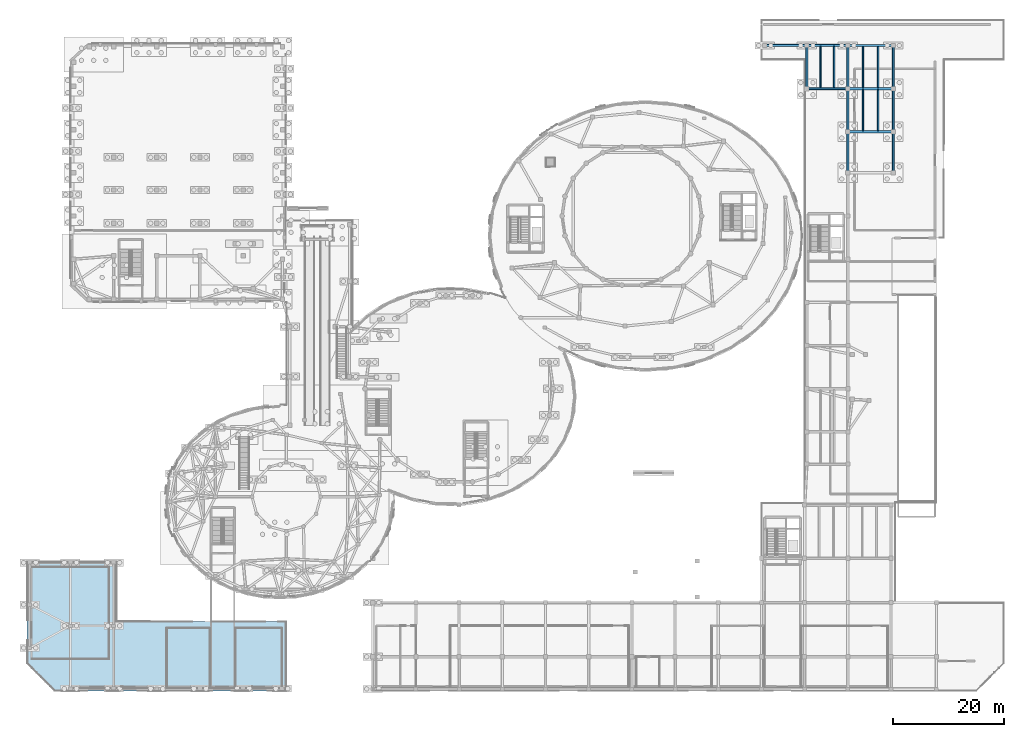
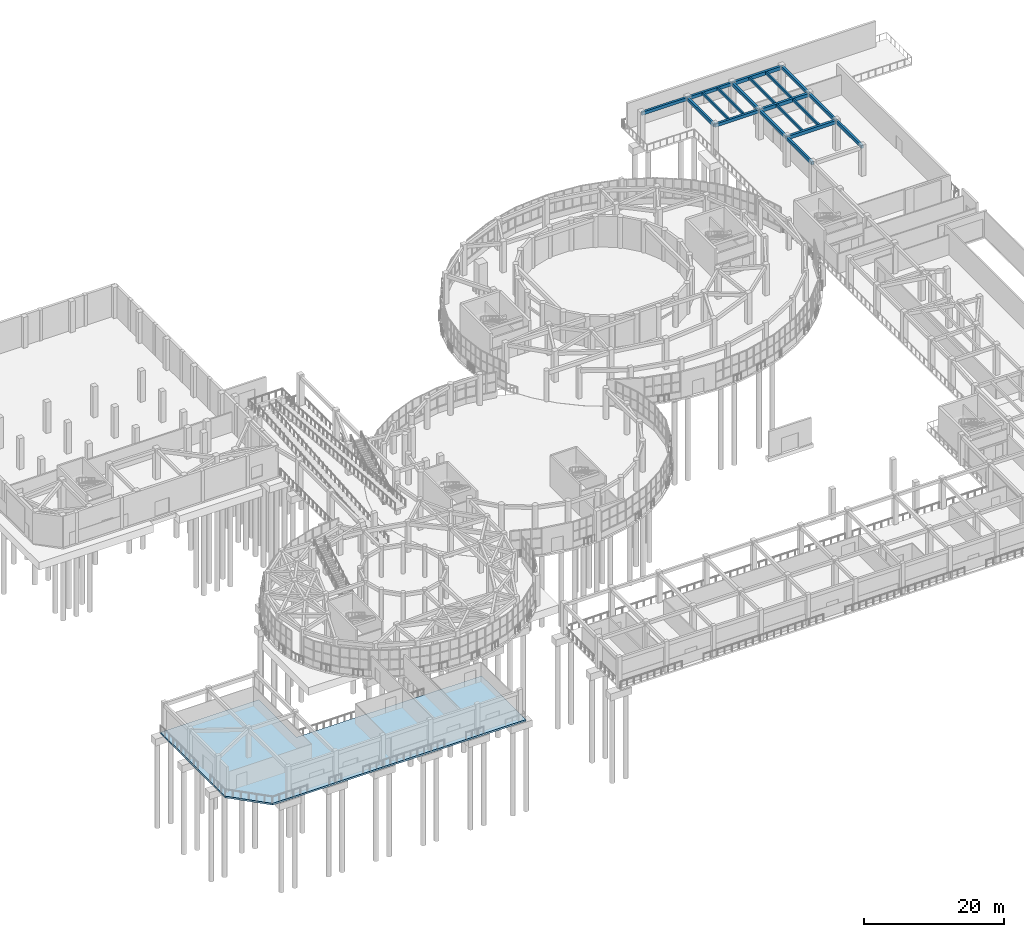
# One storey, part 58 of 96: 19 beams, 1 slab.
"""IFC4 building model written with IfcOpenShell, lengths in metres."""

import ifcopenshell
import ifcopenshell.guid

model = None  # the IFC model being written
_history = None  # IfcOwnerHistory: only IFC2X3 demands one
_inside = {}  # id of a spatial element -> (the spatial element, [elements in it])
_under = {}  # id of a project, library or spatial element -> (it, [spatial elements below it])
_declared = {}  # id of a project -> (the project, [libraries it declares])
_typed = {}  # id of a type object -> (the type object, [elements of that type])
_made_of = {}  # id of a material, layer set ... -> (it, [elements and type objects made of it])


def new_model(schema):
    """Start an empty IFC model of exactly this schema.

    Asked for "IFC4X3", IfcOpenShell would pick the latest addendum, in which some entities
    have other attributes; the version numbers below select the first issue.
    IFC2X3 requires an IfcOwnerHistory on every rooted entity: one is made here for all.
    """
    global model, _history
    if schema == "IFC4X3":
        model = ifcopenshell.file(schema_version=(4, 3, 0, 0))
    else:
        model = ifcopenshell.file(schema=schema)
    _inside.clear()
    _under.clear()
    _declared.clear()
    _typed.clear()
    _made_of.clear()
    _history = None
    if model.schema == "IFC2X3":
        org = make("IfcOrganization", Name="unknown")
        user = make(
            "IfcPersonAndOrganization",
            ThePerson=make("IfcPerson", FamilyName="unknown"),
            TheOrganization=org,
        )
        app = make(
            "IfcApplication",
            ApplicationDeveloper=org,
            Version="unknown",
            ApplicationFullName="unknown",
            ApplicationIdentifier="unknown",
        )
        _history = make(
            "IfcOwnerHistory",
            OwningUser=user,
            OwningApplication=app,
            ChangeAction="ADDED",
            CreationDate=0,
        )
    return model


def make(cls, **values):
    """One entity of the class cls with the attributes given. An attribute that is None is left unset."""
    return model.create_entity(
        cls, **{name: value for name, value in values.items() if value is not None}
    )


def rooted(cls, **values):
    """An entity with a GlobalId (a new one), such as an element, a storey or a relation."""
    return make(cls, GlobalId=ifcopenshell.guid.new(), OwnerHistory=_history, **values)


def si_unit(unit_type, name, prefix=None):
    """IfcSIUnit, for example si_unit("LENGTHUNIT", "METRE", prefix="MILLI")."""
    return make("IfcSIUnit", UnitType=unit_type, Prefix=prefix, Name=name)


def assignment(units):
    """IfcUnitAssignment: the units of a project."""
    return None if units is None else make("IfcUnitAssignment", Units=units)


def point(xyz):
    """IfcCartesianPoint."""
    return None if xyz is None else make("IfcCartesianPoint", Coordinates=xyz)


def direction(xyz):
    """IfcDirection."""
    return None if xyz is None else make("IfcDirection", DirectionRatios=xyz)


def frame(location, z_axis=None, x_axis=None):
    """IfcAxis2Placement3D, a coordinate frame: its origin and axes. An axis left out is left unset."""
    return make(
        "IfcAxis2Placement3D",
        Location=point(location),
        Axis=direction(z_axis),
        RefDirection=direction(x_axis),
    )


def frame_2d(location, x_axis=None):
    """IfcAxis2Placement2D, a coordinate frame in the plane: its origin and x axis."""
    return make(
        "IfcAxis2Placement2D", Location=point(location), RefDirection=direction(x_axis)
    )


def origin():
    """The frame at (0, 0, 0) with its axes left unset."""
    return frame((0.0, 0.0, 0.0))


def origin_2d():
    """The frame at (0, 0) in the plane with its x axis left unset."""
    return frame_2d((0.0, 0.0))


def place(relative_to, where):
    """IfcLocalPlacement: puts the frame where relative to a parent placement (None: the world)."""
    return make(
        "IfcLocalPlacement", PlacementRelTo=relative_to, RelativePlacement=where
    )


def context(
    kind, dimensions, precision=None, world=None, true_north=None, identifier=None
):
    """IfcGeometricRepresentationContext, for example the 3D "Model" context."""
    return make(
        "IfcGeometricRepresentationContext",
        ContextIdentifier=identifier,
        ContextType=kind,
        CoordinateSpaceDimension=dimensions,
        Precision=precision,
        WorldCoordinateSystem=world,
        TrueNorth=true_north,
    )


def subcontext(parent, identifier, kind, view, scale=None):
    """IfcGeometricRepresentationSubContext, for example "Body" below "Model"."""
    return make(
        "IfcGeometricRepresentationSubContext",
        ContextIdentifier=identifier,
        ContextType=kind,
        ParentContext=parent,
        TargetScale=scale,
        TargetView=view,
    )


def project(units=None, contexts=None):
    """IfcProject with its units and contexts."""
    return rooted(
        "IfcProject",
        Name="project",
        RepresentationContexts=contexts,
        UnitsInContext=assignment(units),
    )


def spatial(cls, under=None, at=None, **own):
    """A site, building, storey or space (cls), placed at a placement, below another one or the project."""
    s = rooted(cls, ObjectPlacement=at, **own)
    if under is not None:
        _under.setdefault(under.id(), (under, []))[1].append(s)
    return s


def polyline(points):
    """IfcPolyline through the points."""
    return make("IfcPolyline", Points=[point(p) for p in points])


def profile(cls, at=None, kind="AREA", **sizes):
    """A parametric profile (cls). Its sizes go by their IFC names, for example OverallWidth=200.0."""
    return make(cls, ProfileType=kind, Position=at, **sizes)


def rectangle(**sizes):
    """IfcRectangleProfileDef."""
    return profile("IfcRectangleProfileDef", **sizes)


def outline(outer, holes=None, kind="AREA"):
    """IfcArbitraryClosedProfileDef: a profile drawn as a closed curve; with holes, ...WithVoids."""
    if holes is None:
        return make("IfcArbitraryClosedProfileDef", ProfileType=kind, OuterCurve=outer)
    return make(
        "IfcArbitraryProfileDefWithVoids",
        ProfileType=kind,
        OuterCurve=outer,
        InnerCurves=holes,
    )


def extrude(swept, where, along, depth):
    """IfcExtrudedAreaSolid: the profile swept, set in the frame where, extruded along a direction by depth."""
    return make(
        "IfcExtrudedAreaSolid",
        SweptArea=swept,
        Position=where,
        ExtrudedDirection=direction(along),
        Depth=depth,
    )


def shape(context_of_items, identifier, shape_type, items):
    """IfcShapeRepresentation: the items that make up one representation, for example the "Body"."""
    return make(
        "IfcShapeRepresentation",
        ContextOfItems=context_of_items,
        RepresentationIdentifier=identifier,
        RepresentationType=shape_type,
        Items=items,
    )


def material(Name=None, Category=None):
    """IfcMaterial."""
    return make("IfcMaterial", Name=Name, Category=Category)


def layer(
    of_material, thickness, ventilated=None, Name=None, Category=None, Priority=None
):
    """IfcMaterialLayer: one layer of a wall or slab, of a material (None: an air gap)."""
    return make(
        "IfcMaterialLayer",
        Material=of_material,
        LayerThickness=thickness,
        IsVentilated=ventilated,
        Name=Name,
        Category=Category,
        Priority=Priority,
    )


def layer_set(layers, Name=None):
    """IfcMaterialLayerSet."""
    return make("IfcMaterialLayerSet", MaterialLayers=layers, LayerSetName=Name)


def material_profile(
    of_material, cross_section, Name=None, Category=None, Priority=None
):
    """IfcMaterialProfile: a cross section and its material."""
    return make(
        "IfcMaterialProfile",
        Name=Name,
        Material=of_material,
        Profile=cross_section,
        Priority=Priority,
        Category=Category,
    )


def profile_set(profiles, Name=None, composite=None):
    """IfcMaterialProfileSet."""
    return make(
        "IfcMaterialProfileSet",
        Name=Name,
        MaterialProfiles=profiles,
        CompositeProfile=composite,
    )


def made_of(thing, what):
    """Note that an element or type object is made of a material, layer set ...; save() writes the relation."""
    if what is not None:
        _made_of.setdefault(what.id(), (what, []))[1].append(thing)
    return thing


def type_object(cls, material=None, **own):
    """A type object (cls), such as IfcWallType, which elements share."""
    return made_of(rooted(cls, **own), material)


def element(
    cls,
    number,
    at=None,
    inside=None,
    cuts=None,
    type_object=None,
    material=None,
    context=None,
    identifier="Body",
    shape_type=None,
    held_by="IfcProductDefinitionShape",
    body=None,
    shapes=None,
    **own,
):
    """One element of the class cls, such as IfcWall. Its Tag is "e" and its number.

    at: its placement. inside: the storey or other place that contains it. cuts: it is an
    opening in that element (IfcRelVoidsElement). A single representation is given by context,
    identifier, shape_type and body (its items); several are given by shapes. held_by: the class
    of the entity that holds the representations. save() writes the other relations.
    """
    e = rooted(cls, Tag="e%d" % number, ObjectPlacement=at, **own)
    if body is not None:
        shapes = [shape(context, identifier, shape_type, body)]
    if shapes is not None:
        e.Representation = make(held_by, Representations=shapes)
    if inside is not None:
        _inside.setdefault(inside.id(), (inside, []))[1].append(e)
    if cuts is not None:
        rooted(
            "IfcRelVoidsElement", RelatingBuildingElement=cuts, RelatedOpeningElement=e
        )
    if type_object is not None:
        _typed.setdefault(type_object.id(), (type_object, []))[1].append(e)
    return made_of(e, material)


def aggregate(whole, parts):
    """IfcRelAggregates: a whole, such as a stair, and the parts it consists of."""
    return rooted("IfcRelAggregates", RelatingObject=whole, RelatedObjects=parts)


def save(model, path):
    """Write the relations noted so far, then the file.

    IfcRelAggregates (storeys below a building ...), IfcRelContainedInSpatialStructure (elements
    in a storey), IfcRelDefinesByType, IfcRelAssociatesMaterial and IfcRelDeclares: one each for
    every whole, place, type object, material and project.
    """
    for whole, parts in _under.values():
        aggregate(whole, parts)
    for where, things in _inside.values():
        rooted(
            "IfcRelContainedInSpatialStructure",
            RelatedElements=things,
            RelatingStructure=where,
        )
    for kind, things in _typed.values():
        rooted("IfcRelDefinesByType", RelatedObjects=things, RelatingType=kind)
    for what, things in _made_of.values():
        rooted("IfcRelAssociatesMaterial", RelatedObjects=things, RelatingMaterial=what)
    for by, libraries in _declared.values():
        rooted("IfcRelDeclares", RelatingContext=by, RelatedDefinitions=libraries)
    model.write(path)


model = new_model("IFC4")

# Units and contexts
model_context = context("Model", 3, precision=1e-05, world=origin(), true_north=direction((0.0, 1.0)))
body_context = subcontext(model_context, "Body", "Model", "MODEL_VIEW")
ifc_project = project(units=[si_unit("LENGTHUNIT", "METRE"), si_unit("AREAUNIT", "SQUARE_METRE"), si_unit("VOLUMEUNIT", "CUBIC_METRE"), si_unit("PLANEANGLEUNIT", "RADIAN"), si_unit("MASSUNIT", "GRAM", prefix="KILO")], contexts=[model_context])

# Site, building, storey
site_placement = place(None, origin())
site = spatial("IfcSite", under=ifc_project, at=site_placement, CompositionType="ELEMENT")
building_placement = place(site_placement, origin())
building = spatial("IfcBuilding", under=site, at=building_placement, Name="Pelvatis Terrace Science Centre", CompositionType="ELEMENT")
storey_placement = place(building_placement, origin())
storey = spatial("IfcBuildingStorey", under=building, at=storey_placement, Name="L00", CompositionType="ELEMENT", Elevation=0.0)

# Beams
ifc_material_1 = material(Name="Concrete C35/45", Category="concrete")
ifc_material_profile_1 = material_profile(ifc_material_1, rectangle(XDim=0.360107421875, YDim=0.550048828125, at=origin_2d()), Name="RC-BM 360x550")
ifc_profile_set_1 = profile_set([ifc_material_profile_1], Name="Concrete C35/45")
beam_type_1 = type_object("IfcBeamType", Name="BM-RC-360x550", PredefinedType="BEAM", material=ifc_profile_set_1)
beam_1_placement = place(storey_placement, frame((133.199951171875, 116.60009765625, 4.864990234375), z_axis=(1.0, 0.0, 0.0), x_axis=(0.0, 1.0, 0.0)))
element("IfcBeam", 1, at=beam_1_placement, inside=storey, type_object=beam_type_1, Name="Beam BM-L00-2475", PredefinedType="BEAM", context=body_context, shape_type="SweptSolid", body=[
    extrude(rectangle(XDim=0.360107421875, YDim=0.550048828125, at=origin_2d()), origin(), (0.0, 0.0, 1.0), 7.60009765625),
])
beam_2_placement = place(storey_placement, frame((140.800048828125, 108.800048828125, 4.864990234375), z_axis=(0.0, 1.0, 0.0), x_axis=(-1.0, 0.0, 0.0)))
element("IfcBeam", 2, at=beam_2_placement, inside=storey, type_object=beam_type_1, Name="Beam BM-L00-2487", PredefinedType="BEAM", context=body_context, shape_type="SweptSolid", body=[
    extrude(rectangle(XDim=0.360107421875, YDim=0.550048828125, at=origin_2d()), origin(), (0.0, 0.0, 1.0), 7.800048828125),
])
for number, where, z_axis, x_axis, name in (
    (3, (140.800048828125, 108.800048828125, 4.864990234375), (1.0, 0.0, 0.0), (0.0, 1.0, 0.0), "Beam BM-L00-2488"),
    (4, (140.800048828125, 116.60009765625, 4.864990234375), (1.0, 0.0, 0.0), (0.0, 1.0, 0.0), "Beam BM-L00-2489"),
    (5, (148.199951171875, 93.60009765625, 4.864990234375), (0.0, 1.0, 0.0), (-1.0, 0.0, 0.0), "Beam BM-L00-2500"),
):
    element("IfcBeam", number, at=place(storey_placement, frame(where, z_axis=z_axis, x_axis=x_axis)), inside=storey, type_object=beam_type_1, Name=name, PredefinedType="BEAM", context=body_context, shape_type="SweptSolid", body=[
        extrude(rectangle(XDim=0.360107421875, YDim=0.550048828125, at=origin_2d()), origin(), (0.0, 0.0, 1.0), 7.39990234375),
    ])
for number, where, z_axis, x_axis, name in (
    (6, (148.199951171875, 101.0, 4.864990234375), (0.0, 1.0, 0.0), (-1.0, 0.0, 0.0), "Beam BM-L00-2502"),
    (7, (148.199951171875, 108.800048828125, 4.864990234375), (0.0, 1.0, 0.0), (-1.0, 0.0, 0.0), "Beam BM-L00-2504"),
):
    element("IfcBeam", number, at=place(storey_placement, frame(where, z_axis=z_axis, x_axis=x_axis)), inside=storey, type_object=beam_type_1, Name=name, PredefinedType="BEAM", context=body_context, shape_type="SweptSolid", body=[
        extrude(rectangle(XDim=0.360107421875, YDim=0.550048828125, at=origin_2d()), origin(), (0.0, 0.0, 1.0), 7.800048828125),
    ])
beam_3_placement = place(storey_placement, frame((156.39990234375, 93.60009765625, 4.864990234375), z_axis=(0.0, 1.0, 0.0), x_axis=(-1.0, 0.0, 0.0)))
element("IfcBeam", 8, at=beam_3_placement, inside=storey, type_object=beam_type_1, Name="Beam BM-L00-2507", PredefinedType="BEAM", context=body_context, shape_type="SweptSolid", body=[
    extrude(rectangle(XDim=0.360107421875, YDim=0.550048828125, at=origin_2d()), origin(), (0.0, 0.0, 1.0), 7.39990234375),
])
for number, where, z_axis, x_axis, name in (
    (9, (156.39990234375, 101.0, 4.864990234375), (0.0, 1.0, 0.0), (-1.0, 0.0, 0.0), "Beam BM-L00-2508"),
    (10, (156.39990234375, 108.800048828125, 4.864990234375), (0.0, 1.0, 0.0), (-1.0, 0.0, 0.0), "Beam BM-L00-2509"),
):
    element("IfcBeam", number, at=place(storey_placement, frame(where, z_axis=z_axis, x_axis=x_axis)), inside=storey, type_object=beam_type_1, Name=name, PredefinedType="BEAM", context=body_context, shape_type="SweptSolid", body=[
        extrude(rectangle(XDim=0.360107421875, YDim=0.550048828125, at=origin_2d()), origin(), (0.0, 0.0, 1.0), 7.800048828125),
    ])
ifc_material_2 = material(Name="Concrete C35/45", Category="concrete")
ifc_material_profile_2 = material_profile(ifc_material_2, rectangle(XDim=0.39990234375, YDim=0.60009765625, at=origin_2d()), Name="RC-BM 400x600")
ifc_profile_set_2 = profile_set([ifc_material_profile_2], Name="Concrete C35/45")
beam_type_2 = type_object("IfcBeamType", Name="BM-RC-400x600", PredefinedType="BEAM", material=ifc_profile_set_2)
for number, where, z_axis, x_axis, name in (
    (11, (148.199951171875, 101.0, 4.840087890625), (1.0, 0.0, 0.0), (0.0, 1.0, 0.0), "Beam BM-L00-2503"),
    (12, (148.199951171875, 108.800048828125, 4.840087890625), (1.0, 0.0, 0.0), (0.0, 1.0, 0.0), "Beam BM-L00-2505"),
    (13, (148.199951171875, 116.60009765625, 4.840087890625), (1.0, 0.0, 0.0), (0.0, 1.0, 0.0), "Beam BM-L00-2506"),
):
    element("IfcBeam", number, at=place(storey_placement, frame(where, z_axis=z_axis, x_axis=x_axis)), inside=storey, type_object=beam_type_2, Name=name, PredefinedType="BEAM", context=body_context, shape_type="SweptSolid", body=[
        extrude(rectangle(XDim=0.39990234375, YDim=0.60009765625, at=origin_2d()), origin(), (0.0, 0.0, 1.0), 8.199951171875),
    ])
ifc_material_3 = material(Name="Concrete C35/45", Category="concrete")
ifc_material_profile_3 = material_profile(ifc_material_3, rectangle(XDim=0.260009765625, YDim=0.419921875, at=origin_2d()), Name="RC-JST 260x420")
ifc_profile_set_3 = profile_set([ifc_material_profile_3], Name="Concrete C35/45")
beam_type_3 = type_object("IfcBeamType", Name="JST-RC-260x420", PredefinedType="JOIST", material=ifc_profile_set_3)
for number, where, z_axis, x_axis, name in (
    (14, (150.933349609375, 101.199951171875, 4.929931640625), (0.0, 1.0, 0.0), (-1.0, 0.0, 0.0), "Secondary floor joist J-L00-2073"),
    (15, (153.666748046875, 101.199951171875, 4.929931640625), (0.0, 1.0, 0.0), (-1.0, 0.0, 0.0), "Secondary floor joist J-L00-2074"),
):
    element("IfcBeam", number, at=place(storey_placement, frame(where, z_axis=z_axis, x_axis=x_axis)), inside=storey, type_object=beam_type_3, Name=name, PredefinedType="JOIST", context=body_context, shape_type="SweptSolid", body=[
        extrude(rectangle(XDim=0.260009765625, YDim=0.419921875, at=origin_2d()), origin(), (0.0, 0.0, 1.0), 7.400146484375),
    ])
for number, where, z_axis, x_axis, name in (
    (16, (143.2666015625, 108.97998046875, 4.929931640625), (0.0, 1.0, 0.0), (-1.0, 0.0, 0.0), "Secondary floor joist J-L00-2075"),
    (17, (145.7333984375, 108.97998046875, 4.929931640625), (0.0, 1.0, 0.0), (-1.0, 0.0, 0.0), "Secondary floor joist J-L00-2076"),
):
    element("IfcBeam", number, at=place(storey_placement, frame(where, z_axis=z_axis, x_axis=x_axis)), inside=storey, type_object=beam_type_3, Name=name, PredefinedType="JOIST", context=body_context, shape_type="SweptSolid", body=[
        extrude(rectangle(XDim=0.260009765625, YDim=0.419921875, at=origin_2d()), origin(), (0.0, 0.0, 1.0), 7.43994140625),
    ])
for number, where, z_axis, x_axis, name in (
    (18, (150.933349609375, 109.0, 4.929931640625), (0.0, 1.0, 0.0), (-1.0, 0.0, 0.0), "Secondary floor joist J-L00-2077"),
    (19, (153.666748046875, 109.0, 4.929931640625), (0.0, 1.0, 0.0), (-1.0, 0.0, 0.0), "Secondary floor joist J-L00-2078"),
):
    element("IfcBeam", number, at=place(storey_placement, frame(where, z_axis=z_axis, x_axis=x_axis)), inside=storey, type_object=beam_type_3, Name=name, PredefinedType="JOIST", context=body_context, shape_type="SweptSolid", body=[
        extrude(rectangle(XDim=0.260009765625, YDim=0.419921875, at=origin_2d()), origin(), (0.0, 0.0, 1.0), 7.39990234375),
    ])

# Slab
ifc_material_4 = material(Name="Concrete C35/45", Category="concrete")
ifc_layer = layer(ifc_material_4, 0.304931640625)
ifc_layer_set = layer_set([ifc_layer], Name="Concrete C35/45")
slab_type = type_object("IfcSlabType", Name="SLB-BASE-305", PredefinedType="BASESLAB", material=ifc_layer_set)
slab_placement = place(storey_placement, frame((0.0, 0.0, -0.304931640625)))
element("IfcSlab", 20, at=slab_placement, inside=storey, type_object=slab_type, Name="L00 South-West classical granite entrance portico slab", PredefinedType="BASESLAB", context=body_context, shape_type="SweptSolid", body=[
    extrude(outline(polyline([(0.0, 5.0), (0.0, 23.39990234375), (16.199951171875, 23.39990234375), (16.199951171875, 12.60009765625), (46.800048828125, 12.60009765625), (46.800048828125, 0.0), (5.0, 0.0), (0.0, 5.0)])), origin(), (0.0, 0.0, 1.0), 0.304931640625),
])

save(model, "model.ifc")
